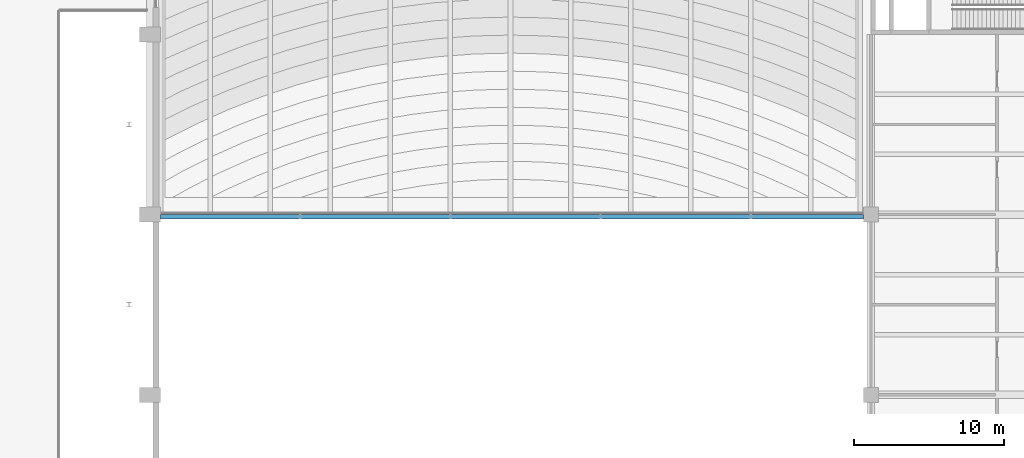
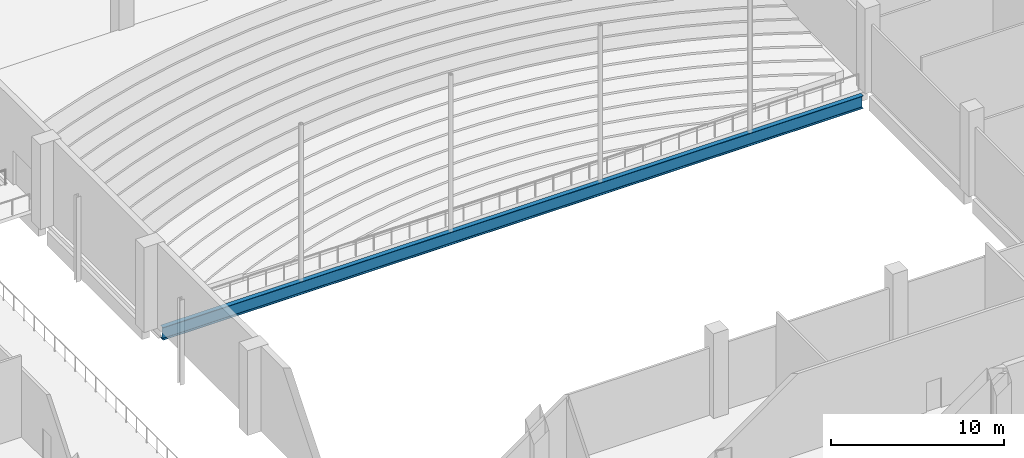
# One storey, part 22 of 72: 1 beam.
"""IFC4 building model written with IfcOpenShell, lengths in metres."""

from ifc_helpers import new_model, si_unit, direction, frame, origin, origin_2d, place, context, subcontext, project, spatial, i_section, extrude, material, material_profile, profile_set, type_object, element, save


model = new_model("IFC4")

# Units and contexts
model_context = context("Model", 3, precision=1e-05, world=origin(), true_north=direction((0.0, 1.0)))
body_context = subcontext(model_context, "Body", "Model", "MODEL_VIEW")
ifc_project = project(units=[si_unit("LENGTHUNIT", "METRE"), si_unit("AREAUNIT", "SQUARE_METRE"), si_unit("VOLUMEUNIT", "CUBIC_METRE"), si_unit("PLANEANGLEUNIT", "RADIAN"), si_unit("MASSUNIT", "GRAM", prefix="KILO")], contexts=[model_context])

# Site, building, storey
site_placement = place(None, origin())
site = spatial("IfcSite", under=ifc_project, at=site_placement, CompositionType="ELEMENT")
building_placement = place(site_placement, origin())
building = spatial("IfcBuilding", under=site, at=building_placement, Name="Lilac Gate Convention Centre", CompositionType="ELEMENT")
storey_placement = place(building_placement, frame((0.0, 0.0, 6.0)))
storey = spatial("IfcBuildingStorey", under=building, at=storey_placement, Name="L01", CompositionType="ELEMENT", Elevation=6.0)

# Beam
ifc_material = material(Name="Steel Q355B", Category="steel")
ifc_material_profile = material_profile(ifc_material, i_section(OverallWidth=0.300048828125, OverallDepth=0.89990234375, WebThickness=0.01611328125, FlangeThickness=0.028076171875, FilletRadius=0.01806640625, at=origin_2d()), Name="HN900x300x16x28")
ifc_profile_set = profile_set([ifc_material_profile], Name="Steel Q355B")
beam_type = type_object("IfcBeamType", Name="Balcony girder HN900x300x16x28", PredefinedType="BEAM", material=ifc_profile_set)
beam_placement = place(storey_placement, frame((30.699951171875, 137.85009765625, -0.699951171875), z_axis=(1.0, 0.0, 0.0), x_axis=(0.0, 1.0, 0.0)))
element("IfcBeam", 1, at=beam_placement, inside=storey, type_object=beam_type, Name="BG1 L01 balcony front girder", PredefinedType="BEAM", context=body_context, shape_type="SweptSolid", body=[
    extrude(i_section(OverallWidth=0.300048828125, OverallDepth=0.89990234375, WebThickness=0.01611328125, FlangeThickness=0.028076171875, FilletRadius=0.01806640625, at=origin_2d()), origin(), (0.0, 0.0, 1.0), 46.800048828125),
])

save(model, "model.ifc")
